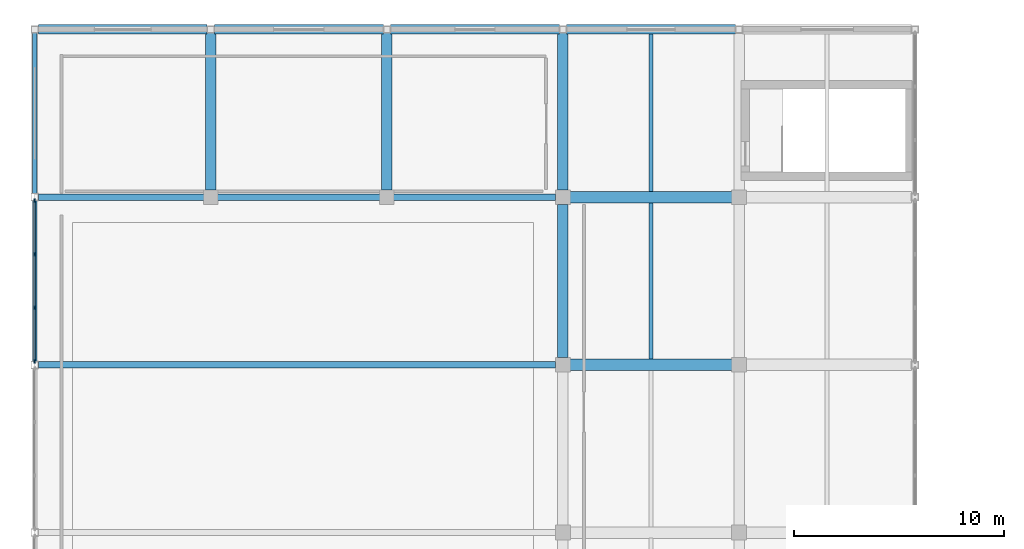
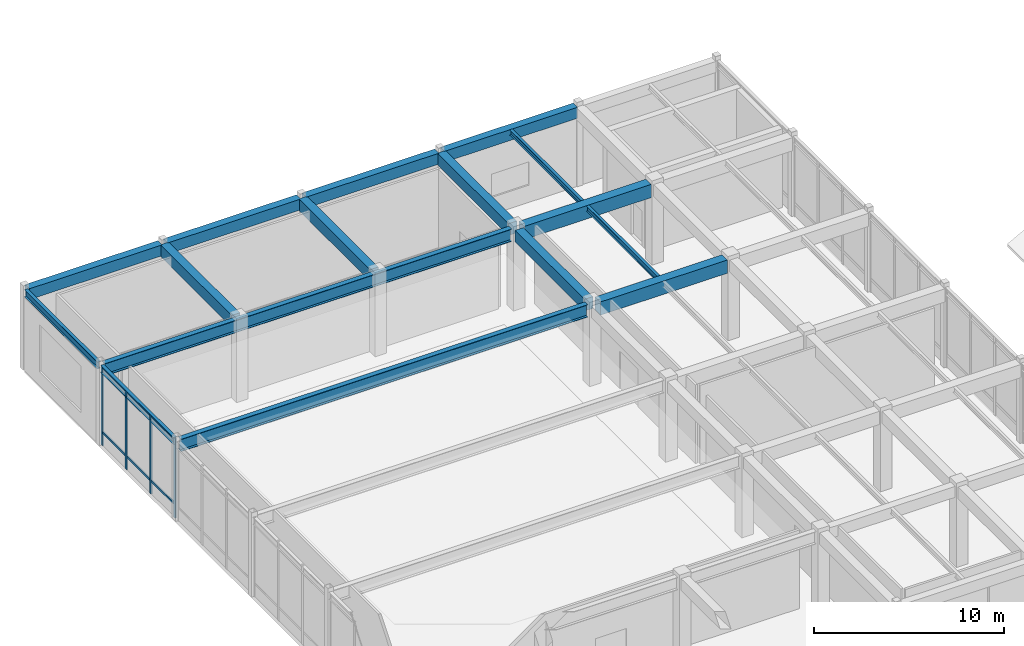
# One storey, part 35 of 79: 16 beams, 10 members, 1 element without a shape of its own.
"""IFC4 building model written with IfcOpenShell, lengths in metres."""

from ifc_helpers import new_model, si_unit, direction, frame, origin, origin_2d, place, context, subcontext, project, spatial, rectangle, i_section, extrude, material, layer, layer_set, material_profile, profile_set, type_object, element, aggregate, save


model = new_model("IFC4")

# Units and contexts
model_context = context("Model", 3, precision=1e-05, world=origin(), true_north=direction((0.0, 1.0)))
body_context = subcontext(model_context, "Body", "Model", "MODEL_VIEW")
ifc_project = project(units=[si_unit("LENGTHUNIT", "METRE"), si_unit("AREAUNIT", "SQUARE_METRE"), si_unit("VOLUMEUNIT", "CUBIC_METRE"), si_unit("PLANEANGLEUNIT", "RADIAN"), si_unit("MASSUNIT", "GRAM", prefix="KILO")], contexts=[model_context])

# Site, building, storey
site_placement = place(None, origin())
site = spatial("IfcSite", under=ifc_project, at=site_placement, CompositionType="ELEMENT")
building_placement = place(site_placement, origin())
building = spatial("IfcBuilding", under=site, at=building_placement, Name="Naruveol Harbour Congress Hotel", CompositionType="ELEMENT")
storey_placement = place(building_placement, frame((0.0, 0.0, 6.0)))
storey = spatial("IfcBuildingStorey", under=building, at=storey_placement, Name="L01", CompositionType="ELEMENT", Elevation=6.0)

# Beams
ifc_material_1 = material(Name="Concrete C40/50", Category="concrete")
ifc_material_profile_1 = material_profile(ifc_material_1, rectangle(XDim=0.5, YDim=0.75, at=origin_2d()), Name="RCB-500x750")
ifc_profile_set_1 = profile_set([ifc_material_profile_1], Name="Concrete C40/50")
beam_type_1 = type_object("IfcBeamType", Name="RC FLOOR GIRDER 500X750", PredefinedType="BEAM", material=ifc_profile_set_1)
for number, where, z_axis, x_axis, name in (
    (1, (8.39990234375, 104.345947265625, 4.764892578125), (0.0, 1.0, 0.0), (-1.0, 0.0, 0.0), "Transverse girder L02 CB3"),
    (2, (16.800048828125, 104.345947265625, 4.764892578125), (0.0, 1.0, 0.0), (-1.0, 0.0, 0.0), "Transverse girder L02 CB3"),
):
    element("IfcBeam", number, at=place(storey_placement, frame(where, z_axis=z_axis, x_axis=x_axis)), inside=storey, type_object=beam_type_1, Name=name, PredefinedType="BEAM", context=body_context, shape_type="SweptSolid", body=[
        extrude(rectangle(XDim=0.5, YDim=0.75, at=origin_2d()), origin(), (0.0, 0.0, 1.0), 7.483154296875),
    ])
beam_1_placement = place(storey_placement, frame((25.199951171875, 96.345947265625, 4.764892578125), z_axis=(0.0, 1.0, 0.0), x_axis=(-1.0, 0.0, 0.0)))
element("IfcBeam", 3, at=beam_1_placement, inside=storey, type_object=beam_type_1, Name="Transverse girder L02 CB3", PredefinedType="BEAM", context=body_context, shape_type="SweptSolid", body=[
    extrude(rectangle(XDim=0.5, YDim=0.75, at=origin_2d()), origin(), (0.0, 0.0, 1.0), 7.30810546875),
])
beam_2_placement = place(storey_placement, frame((25.199951171875, 104.345947265625, 4.764892578125), z_axis=(0.0, 1.0, 0.0), x_axis=(-1.0, 0.0, 0.0)))
element("IfcBeam", 4, at=beam_2_placement, inside=storey, type_object=beam_type_1, Name="Transverse girder L02 CB3", PredefinedType="BEAM", context=body_context, shape_type="SweptSolid", body=[
    extrude(rectangle(XDim=0.5, YDim=0.75, at=origin_2d()), origin(), (0.0, 0.0, 1.0), 7.483154296875),
])
ifc_material_2 = material(Name="Concrete C40/50", Category="concrete")
ifc_material_profile_2 = material_profile(ifc_material_2, rectangle(XDim=0.550048828125, YDim=0.85009765625, at=origin_2d()), Name="RCB-550x850")
ifc_profile_set_2 = profile_set([ifc_material_profile_2], Name="Concrete C40/50")
beam_type_2 = type_object("IfcBeamType", Name="RC PRIMARY GIRDER 550X850", PredefinedType="BEAM", material=ifc_profile_set_2)
for number, where, z_axis, x_axis, name in (
    (5, (25.5458984375, 96.0, 4.715087890625), (1.0, 0.0, 0.0), (0.0, 1.0, 0.0), "Floor girder L02 CB2"),
    (6, (25.5458984375, 104.0, 4.715087890625), (1.0, 0.0, 0.0), (0.0, 1.0, 0.0), "Floor girder L02 CB2"),
):
    element("IfcBeam", number, at=place(storey_placement, frame(where, z_axis=z_axis, x_axis=x_axis)), inside=storey, type_object=beam_type_2, Name=name, PredefinedType="BEAM", context=body_context, shape_type="SweptSolid", body=[
        extrude(rectangle(XDim=0.550048828125, YDim=0.85009765625, at=origin_2d()), origin(), (0.0, 0.0, 1.0), 7.7080078125),
    ])
ifc_material_3 = material(Name="Concrete C40/50", Category="concrete")
ifc_material_profile_3 = material_profile(ifc_material_3, rectangle(XDim=0.449951171875, YDim=0.699951171875, at=origin_2d()), Name="RCB-450x700")
ifc_profile_set_3 = profile_set([ifc_material_profile_3], Name="Concrete C40/50")
beam_type_3 = type_object("IfcBeamType", Name="RC SPANDREL BEAM 450X700", PredefinedType="SPANDREL", material=ifc_profile_set_3)
beam_3_placement = place(storey_placement, frame((0.1708984375, 112.0, 4.7900390625), z_axis=(1.0, 0.0, 0.0), x_axis=(0.0, 1.0, 0.0)))
element("IfcBeam", 7, at=beam_3_placement, inside=storey, type_object=beam_type_3, Name="Floor girder L02 SPB1", PredefinedType="SPANDREL", context=body_context, shape_type="SweptSolid", body=[
    extrude(rectangle(XDim=0.449951171875, YDim=0.699951171875, at=origin_2d()), origin(), (0.0, 0.0, 1.0), 8.05810546875),
])
beam_4_placement = place(storey_placement, frame((8.571044921875, 112.0, 4.7900390625), z_axis=(1.0, 0.0, 0.0), x_axis=(0.0, 1.0, 0.0)))
element("IfcBeam", 8, at=beam_4_placement, inside=storey, type_object=beam_type_3, Name="Floor girder L02 SPB1", PredefinedType="SPANDREL", context=body_context, shape_type="SweptSolid", body=[
    extrude(rectangle(XDim=0.449951171875, YDim=0.699951171875, at=origin_2d()), origin(), (0.0, 0.0, 1.0), 8.057861328125),
])
beam_5_placement = place(storey_placement, frame((16.970947265625, 112.0, 4.7900390625), z_axis=(1.0, 0.0, 0.0), x_axis=(0.0, 1.0, 0.0)))
element("IfcBeam", 9, at=beam_5_placement, inside=storey, type_object=beam_type_3, Name="Floor girder L02 SPB1", PredefinedType="SPANDREL", context=body_context, shape_type="SweptSolid", body=[
    extrude(rectangle(XDim=0.449951171875, YDim=0.699951171875, at=origin_2d()), origin(), (0.0, 0.0, 1.0), 8.05810546875),
])
beam_6_placement = place(storey_placement, frame((25.37109375, 112.0, 4.7900390625), z_axis=(1.0, 0.0, 0.0), x_axis=(0.0, 1.0, 0.0)))
element("IfcBeam", 10, at=beam_6_placement, inside=storey, type_object=beam_type_3, Name="Floor girder L02 SPB1", PredefinedType="SPANDREL", context=body_context, shape_type="SweptSolid", body=[
    extrude(rectangle(XDim=0.449951171875, YDim=0.699951171875, at=origin_2d()), origin(), (0.0, 0.0, 1.0), 8.057861328125),
])
ifc_material_4 = material(Name="Steel SN490", Category="steel")
ifc_material_profile_4 = material_profile(ifc_material_4, i_section(OverallWidth=0.175048828125, OverallDepth=0.35009765625, WebThickness=0.007080078125, FlangeThickness=0.010986328125, at=origin_2d()), Name="H-350x175x7x11")
ifc_profile_set_4 = profile_set([ifc_material_profile_4], Name="Steel SN490")
beam_type_4 = type_object("IfcBeamType", Name="STEEL SECONDARY JOIST H350", PredefinedType="JOIST", material=ifc_profile_set_4)
beam_7_placement = place(storey_placement, frame((29.39990234375, 96.27099609375, 4.965087890625), z_axis=(0.0, 1.0, 0.0), x_axis=(-1.0, 0.0, 0.0)))
element("IfcBeam", 11, at=beam_7_placement, inside=storey, type_object=beam_type_4, Name="Secondary floor joist L02 SJ2", PredefinedType="JOIST", context=body_context, shape_type="SweptSolid", body=[
    extrude(i_section(OverallWidth=0.175048828125, OverallDepth=0.35009765625, WebThickness=0.007080078125, FlangeThickness=0.010986328125, at=origin_2d()), origin(), (0.0, 0.0, 1.0), 7.4580078125),
])
beam_8_placement = place(storey_placement, frame((29.39990234375, 104.27099609375, 4.965087890625), z_axis=(0.0, 1.0, 0.0), x_axis=(-1.0, 0.0, 0.0)))
element("IfcBeam", 12, at=beam_8_placement, inside=storey, type_object=beam_type_4, Name="Secondary floor joist L02 SJ2", PredefinedType="JOIST", context=body_context, shape_type="SweptSolid", body=[
    extrude(i_section(OverallWidth=0.175048828125, OverallDepth=0.35009765625, WebThickness=0.007080078125, FlangeThickness=0.010986328125, at=origin_2d()), origin(), (0.0, 0.0, 1.0), 7.508056640625),
])
ifc_material_5 = material(Name="Steel SN490", Category="steel")
ifc_material_profile_5 = material_profile(ifc_material_5, i_section(OverallWidth=0.199951171875, OverallDepth=0.449951171875, WebThickness=0.009033203125, FlangeThickness=0.013916015625, at=origin_2d()), Name="H-450x200x9x14")
ifc_profile_set_5 = profile_set([ifc_material_profile_5], Name="Steel SN490")
beam_type_5 = type_object("IfcBeamType", Name="STEEL SPANDREL EDGE BEAM H450", PredefinedType="SPANDREL", material=ifc_profile_set_5)
for number, where, z_axis, x_axis, name in (
    (13, (0.0, 96.1708984375, 4.9150390625), (0.0, 1.0, 0.0), (-1.0, 0.0, 0.0), "Transverse girder L02 SPB2"),
    (14, (0.0, 104.1708984375, 4.9150390625), (0.0, 1.0, 0.0), (-1.0, 0.0, 0.0), "Transverse girder L02 SPB2"),
):
    element("IfcBeam", number, at=place(storey_placement, frame(where, z_axis=z_axis, x_axis=x_axis)), inside=storey, type_object=beam_type_5, Name=name, PredefinedType="SPANDREL", context=body_context, shape_type="SweptSolid", body=[
        extrude(i_section(OverallWidth=0.199951171875, OverallDepth=0.449951171875, WebThickness=0.009033203125, FlangeThickness=0.013916015625, at=origin_2d()), origin(), (0.0, 0.0, 1.0), 7.658203125),
    ])
ifc_material_6 = material(Name="Steel SN490", Category="steel")
ifc_material_profile_6 = material_profile(ifc_material_6, i_section(OverallWidth=0.300048828125, OverallDepth=0.800048828125, WebThickness=0.013916015625, FlangeThickness=0.02587890625, at=origin_2d()), Name="H-800x300x14x26")
ifc_profile_set_6 = profile_set([ifc_material_profile_6], Name="Steel SN490")
beam_type_6 = type_object("IfcBeamType", Name="STEEL VAULT ARCH GIRDER H800", PredefinedType="BEAM", material=ifc_profile_set_6)
for number, where, z_axis, x_axis, name in (
    (15, (0.1708984375, 96.0, 4.739990234375), (1.0, 0.0, 0.0), (0.0, 1.0, 0.0), "Spa pool vault tie girder VG-B1"),
    (16, (0.1708984375, 104.0, 4.739990234375), (1.0, 0.0, 0.0), (0.0, 1.0, 0.0), "Spa pool vault tie girder VG-B1"),
):
    element("IfcBeam", number, at=place(storey_placement, frame(where, z_axis=z_axis, x_axis=x_axis)), inside=storey, type_object=beam_type_6, Name=name, PredefinedType="BEAM", context=body_context, shape_type="SweptSolid", body=[
        extrude(i_section(OverallWidth=0.300048828125, OverallDepth=0.800048828125, WebThickness=0.013916015625, FlangeThickness=0.02587890625, at=origin_2d()), origin(), (0.0, 0.0, 1.0), 24.68310546875),
    ])

# Curtain wall, members
ifc_material_7 = material(Name="Low-E Curtain Wall System", Category="glass")
ifc_layer = layer(ifc_material_7, 0.179931640625)
ifc_layer_set = layer_set([ifc_layer], Name="Low-E Curtain Wall System")
curtain_wall_type = type_object("IfcCurtainWallType", Name="UNITISED CURTAIN WALL CW-V3P-13 7650X5100", PredefinedType="USERDEFINED", material=ifc_layer_set)
curtain_wall_placement = place(storey_placement, origin())
curtain_wall = element("IfcCurtainWall", 17, at=curtain_wall_placement, inside=storey, type_object=curtain_wall_type, Name="Unitised curtain wall CW-V3P-13 L01", ObjectType="UNITISED GLAZING", PredefinedType="USERDEFINED")
ifc_material_8 = material(Name="Anodised Aluminium 6063-T6", Category="aluminium")
ifc_material_profile_7 = material_profile(ifc_material_8, rectangle(XDim=0.074951171875, YDim=0.179931640625, at=origin_2d()), Name="ALU-75x180")
ifc_profile_set_7 = profile_set([ifc_material_profile_7], Name="Anodised Aluminium 6063-T6")
member_type_1 = type_object("IfcMemberType", Name="THERMAL ALUMINIUM MULLION 75X180", PredefinedType="MULLION", material=ifc_profile_set_7)
member_1_placement = place(storey_placement, frame((0.0, 96.175048828125, 0.0), z_axis=(0.0, 0.0, 1.0), x_axis=(1.0, 0.0, 0.0)))
member_1 = element("IfcMember", 18, at=member_1_placement, type_object=member_type_1, Name="Curtain wall mullion CW-L01-0021-M0", PredefinedType="MULLION", context=body_context, shape_type="SweptSolid", body=[
    extrude(rectangle(XDim=0.074951171875, YDim=0.179931640625, at=origin_2d()), origin(), (0.0, 0.0, 1.0), 5.10009765625),
])
member_2_placement = place(storey_placement, frame((0.0, 98.72509765625, 0.0), z_axis=(0.0, 0.0, 1.0), x_axis=(1.0, 0.0, 0.0)))
member_2 = element("IfcMember", 19, at=member_2_placement, type_object=member_type_1, Name="Curtain wall mullion CW-L01-0021-M1", PredefinedType="MULLION", context=body_context, shape_type="SweptSolid", body=[
    extrude(rectangle(XDim=0.074951171875, YDim=0.179931640625, at=origin_2d()), origin(), (0.0, 0.0, 1.0), 5.10009765625),
])
member_3_placement = place(storey_placement, frame((0.0, 101.27490234375, 0.0), z_axis=(0.0, 0.0, 1.0), x_axis=(1.0, 0.0, 0.0)))
member_3 = element("IfcMember", 20, at=member_3_placement, type_object=member_type_1, Name="Curtain wall mullion CW-L01-0021-M2", PredefinedType="MULLION", context=body_context, shape_type="SweptSolid", body=[
    extrude(rectangle(XDim=0.074951171875, YDim=0.179931640625, at=origin_2d()), origin(), (0.0, 0.0, 1.0), 5.10009765625),
])
member_4_placement = place(storey_placement, frame((0.0, 103.824951171875, 0.0), z_axis=(0.0, 0.0, 1.0), x_axis=(1.0, 0.0, 0.0)))
member_4 = element("IfcMember", 21, at=member_4_placement, type_object=member_type_1, Name="Curtain wall mullion CW-L01-0021-M3", PredefinedType="MULLION", context=body_context, shape_type="SweptSolid", body=[
    extrude(rectangle(XDim=0.074951171875, YDim=0.179931640625, at=origin_2d()), origin(), (0.0, 0.0, 1.0), 5.10009765625),
])
ifc_material_9 = material(Name="Anodised Aluminium 6063-T6", Category="aluminium")
ifc_material_profile_8 = material_profile(ifc_material_9, rectangle(XDim=0.074951171875, YDim=0.14990234375, at=origin_2d()), Name="ALU-75x150")
ifc_profile_set_8 = profile_set([ifc_material_profile_8], Name="Anodised Aluminium 6063-T6")
member_type_2 = type_object("IfcMemberType", Name="THERMAL ALUMINIUM TRANSOM 75X150", PredefinedType="USERDEFINED", material=ifc_profile_set_8)
member_5_placement = place(storey_placement, frame((0.0, 96.215087890625, 0.85009765625), z_axis=(0.0, 1.0, 0.0), x_axis=(-1.0, 0.0, 0.0)))
member_5 = element("IfcMember", 22, at=member_5_placement, type_object=member_type_2, Name="Curtain wall transom CW-L01-0021-T0.1", ObjectType="TRANSOM", PredefinedType="USERDEFINED", context=body_context, shape_type="SweptSolid", body=[
    extrude(rectangle(XDim=0.074951171875, YDim=0.14990234375, at=origin_2d()), origin(), (0.0, 0.0, 1.0), 2.469970703125),
])
member_6_placement = place(storey_placement, frame((0.0, 96.215087890625, 5.02001953125), z_axis=(0.0, 1.0, 0.0), x_axis=(-1.0, 0.0, 0.0)))
member_6 = element("IfcMember", 23, at=member_6_placement, type_object=member_type_2, Name="Curtain wall transom CW-L01-0021-T0.2", ObjectType="TRANSOM", PredefinedType="USERDEFINED", context=body_context, shape_type="SweptSolid", body=[
    extrude(rectangle(XDim=0.074951171875, YDim=0.14990234375, at=origin_2d()), origin(), (0.0, 0.0, 1.0), 2.469970703125),
])
member_7_placement = place(storey_placement, frame((0.0, 98.764892578125, 0.85009765625), z_axis=(0.0, 1.0, 0.0), x_axis=(-1.0, 0.0, 0.0)))
member_7 = element("IfcMember", 24, at=member_7_placement, type_object=member_type_2, Name="Curtain wall transom CW-L01-0021-T1.1", ObjectType="TRANSOM", PredefinedType="USERDEFINED", context=body_context, shape_type="SweptSolid", body=[
    extrude(rectangle(XDim=0.074951171875, YDim=0.14990234375, at=origin_2d()), origin(), (0.0, 0.0, 1.0), 2.47021484375),
])
member_8_placement = place(storey_placement, frame((0.0, 98.764892578125, 5.02001953125), z_axis=(0.0, 1.0, 0.0), x_axis=(-1.0, 0.0, 0.0)))
member_8 = element("IfcMember", 25, at=member_8_placement, type_object=member_type_2, Name="Curtain wall transom CW-L01-0021-T1.2", ObjectType="TRANSOM", PredefinedType="USERDEFINED", context=body_context, shape_type="SweptSolid", body=[
    extrude(rectangle(XDim=0.074951171875, YDim=0.14990234375, at=origin_2d()), origin(), (0.0, 0.0, 1.0), 2.47021484375),
])
member_9_placement = place(storey_placement, frame((0.0, 101.31494140625, 0.85009765625), z_axis=(0.0, 1.0, 0.0), x_axis=(-1.0, 0.0, 0.0)))
member_9 = element("IfcMember", 26, at=member_9_placement, type_object=member_type_2, Name="Curtain wall transom CW-L01-0021-T2.1", ObjectType="TRANSOM", PredefinedType="USERDEFINED", context=body_context, shape_type="SweptSolid", body=[
    extrude(rectangle(XDim=0.074951171875, YDim=0.14990234375, at=origin_2d()), origin(), (0.0, 0.0, 1.0), 2.469970703125),
])
member_10_placement = place(storey_placement, frame((0.0, 101.31494140625, 5.02001953125), z_axis=(0.0, 1.0, 0.0), x_axis=(-1.0, 0.0, 0.0)))
member_10 = element("IfcMember", 27, at=member_10_placement, type_object=member_type_2, Name="Curtain wall transom CW-L01-0021-T2.2", ObjectType="TRANSOM", PredefinedType="USERDEFINED", context=body_context, shape_type="SweptSolid", body=[
    extrude(rectangle(XDim=0.074951171875, YDim=0.14990234375, at=origin_2d()), origin(), (0.0, 0.0, 1.0), 2.469970703125),
])
aggregate(curtain_wall, [member_1, member_2, member_3, member_4, member_5, member_6, member_7, member_8, member_9, member_10])

save(model, "model.ifc")
